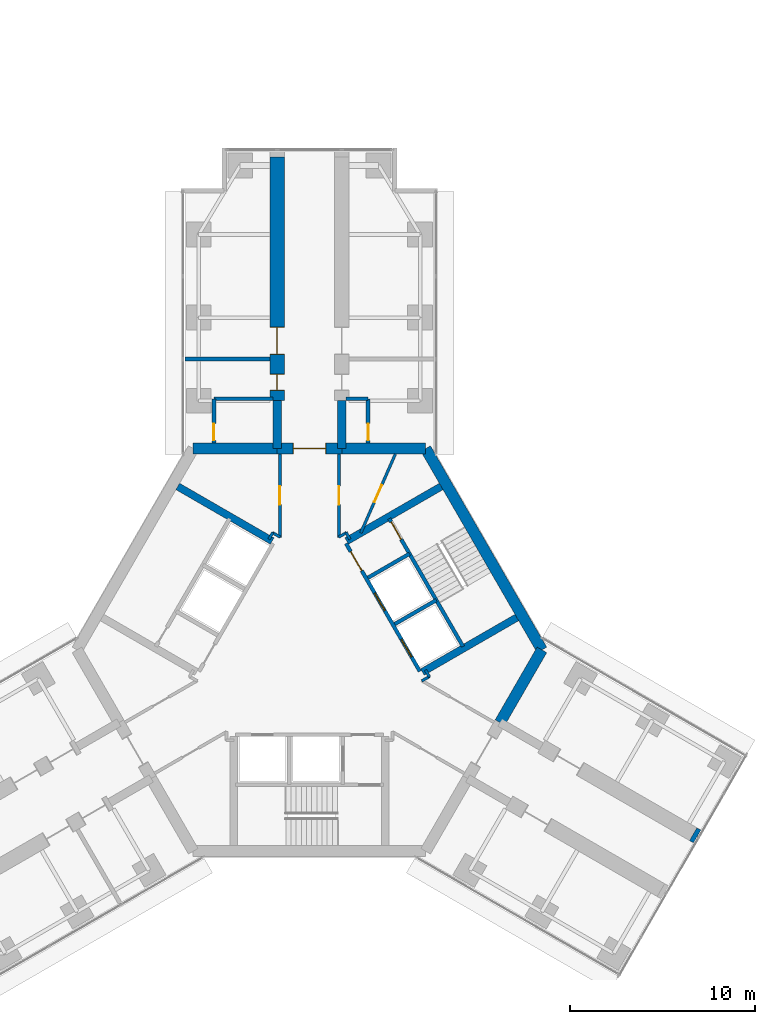
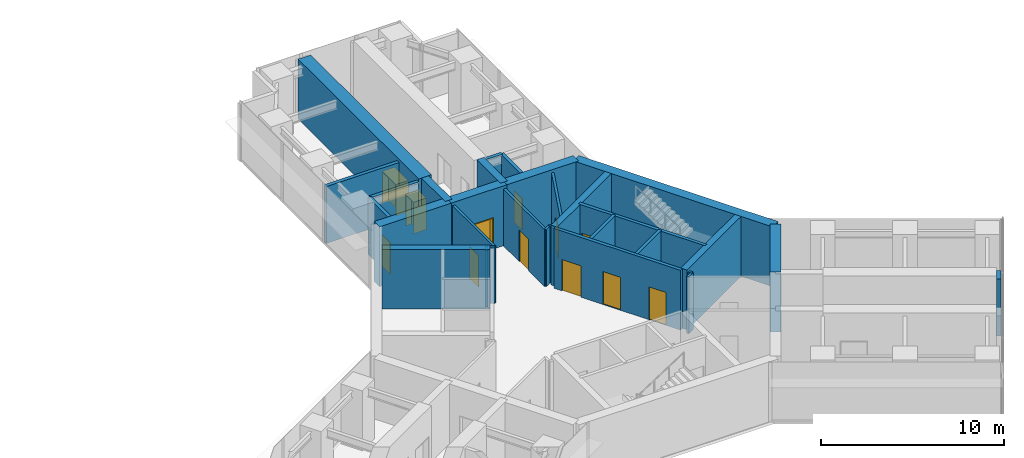
# One storey, part 19 of 21: 30 walls, 12 doors, 12 openings.
"""IFC4 building model written with IfcOpenShell, lengths in metres."""

import ifcopenshell
import ifcopenshell.guid

model = None  # the IFC model being written
_history = None  # IfcOwnerHistory: only IFC2X3 demands one
_inside = {}  # id of a spatial element -> (the spatial element, [elements in it])
_under = {}  # id of a project, library or spatial element -> (it, [spatial elements below it])
_declared = {}  # id of a project -> (the project, [libraries it declares])
_typed = {}  # id of a type object -> (the type object, [elements of that type])
_made_of = {}  # id of a material, layer set ... -> (it, [elements and type objects made of it])


def new_model(schema):
    """Start an empty IFC model of exactly this schema.

    Asked for "IFC4X3", IfcOpenShell would pick the latest addendum, in which some entities
    have other attributes; the version numbers below select the first issue.
    IFC2X3 requires an IfcOwnerHistory on every rooted entity: one is made here for all.
    """
    global model, _history
    if schema == "IFC4X3":
        model = ifcopenshell.file(schema_version=(4, 3, 0, 0))
    else:
        model = ifcopenshell.file(schema=schema)
    _inside.clear()
    _under.clear()
    _declared.clear()
    _typed.clear()
    _made_of.clear()
    _history = None
    if model.schema == "IFC2X3":
        org = make("IfcOrganization", Name="unknown")
        user = make(
            "IfcPersonAndOrganization",
            ThePerson=make("IfcPerson", FamilyName="unknown"),
            TheOrganization=org,
        )
        app = make(
            "IfcApplication",
            ApplicationDeveloper=org,
            Version="unknown",
            ApplicationFullName="unknown",
            ApplicationIdentifier="unknown",
        )
        _history = make(
            "IfcOwnerHistory",
            OwningUser=user,
            OwningApplication=app,
            ChangeAction="ADDED",
            CreationDate=0,
        )
    return model


def make(cls, **values):
    """One entity of the class cls with the attributes given. An attribute that is None is left unset."""
    return model.create_entity(
        cls, **{name: value for name, value in values.items() if value is not None}
    )


def rooted(cls, **values):
    """An entity with a GlobalId (a new one), such as an element, a storey or a relation."""
    return make(cls, GlobalId=ifcopenshell.guid.new(), OwnerHistory=_history, **values)


def si_unit(unit_type, name, prefix=None):
    """IfcSIUnit, for example si_unit("LENGTHUNIT", "METRE", prefix="MILLI")."""
    return make("IfcSIUnit", UnitType=unit_type, Prefix=prefix, Name=name)


def assignment(units):
    """IfcUnitAssignment: the units of a project."""
    return None if units is None else make("IfcUnitAssignment", Units=units)


def point(xyz):
    """IfcCartesianPoint."""
    return None if xyz is None else make("IfcCartesianPoint", Coordinates=xyz)


def direction(xyz):
    """IfcDirection."""
    return None if xyz is None else make("IfcDirection", DirectionRatios=xyz)


def frame(location, z_axis=None, x_axis=None):
    """IfcAxis2Placement3D, a coordinate frame: its origin and axes. An axis left out is left unset."""
    return make(
        "IfcAxis2Placement3D",
        Location=point(location),
        Axis=direction(z_axis),
        RefDirection=direction(x_axis),
    )


def frame_2d(location, x_axis=None):
    """IfcAxis2Placement2D, a coordinate frame in the plane: its origin and x axis."""
    return make(
        "IfcAxis2Placement2D", Location=point(location), RefDirection=direction(x_axis)
    )


def origin():
    """The frame at (0, 0, 0) with its axes left unset."""
    return frame((0.0, 0.0, 0.0))


def place(relative_to, where):
    """IfcLocalPlacement: puts the frame where relative to a parent placement (None: the world)."""
    return make(
        "IfcLocalPlacement", PlacementRelTo=relative_to, RelativePlacement=where
    )


def context(
    kind, dimensions, precision=None, world=None, true_north=None, identifier=None
):
    """IfcGeometricRepresentationContext, for example the 3D "Model" context."""
    return make(
        "IfcGeometricRepresentationContext",
        ContextIdentifier=identifier,
        ContextType=kind,
        CoordinateSpaceDimension=dimensions,
        Precision=precision,
        WorldCoordinateSystem=world,
        TrueNorth=true_north,
    )


def subcontext(parent, identifier, kind, view, scale=None):
    """IfcGeometricRepresentationSubContext, for example "Body" below "Model"."""
    return make(
        "IfcGeometricRepresentationSubContext",
        ContextIdentifier=identifier,
        ContextType=kind,
        ParentContext=parent,
        TargetScale=scale,
        TargetView=view,
    )


def project(units=None, contexts=None):
    """IfcProject with its units and contexts."""
    return rooted(
        "IfcProject",
        Name="project",
        RepresentationContexts=contexts,
        UnitsInContext=assignment(units),
    )


def spatial(cls, under=None, at=None, **own):
    """A site, building, storey or space (cls), placed at a placement, below another one or the project."""
    s = rooted(cls, ObjectPlacement=at, **own)
    if under is not None:
        _under.setdefault(under.id(), (under, []))[1].append(s)
    return s


def profile(cls, at=None, kind="AREA", **sizes):
    """A parametric profile (cls). Its sizes go by their IFC names, for example OverallWidth=200.0."""
    return make(cls, ProfileType=kind, Position=at, **sizes)


def rectangle(**sizes):
    """IfcRectangleProfileDef."""
    return profile("IfcRectangleProfileDef", **sizes)


def extrude(swept, where, along, depth):
    """IfcExtrudedAreaSolid: the profile swept, set in the frame where, extruded along a direction by depth."""
    return make(
        "IfcExtrudedAreaSolid",
        SweptArea=swept,
        Position=where,
        ExtrudedDirection=direction(along),
        Depth=depth,
    )


def shape(context_of_items, identifier, shape_type, items):
    """IfcShapeRepresentation: the items that make up one representation, for example the "Body"."""
    return make(
        "IfcShapeRepresentation",
        ContextOfItems=context_of_items,
        RepresentationIdentifier=identifier,
        RepresentationType=shape_type,
        Items=items,
    )


def material(Name=None, Category=None):
    """IfcMaterial."""
    return make("IfcMaterial", Name=Name, Category=Category)


def layer(
    of_material, thickness, ventilated=None, Name=None, Category=None, Priority=None
):
    """IfcMaterialLayer: one layer of a wall or slab, of a material (None: an air gap)."""
    return make(
        "IfcMaterialLayer",
        Material=of_material,
        LayerThickness=thickness,
        IsVentilated=ventilated,
        Name=Name,
        Category=Category,
        Priority=Priority,
    )


def layer_set(layers, Name=None):
    """IfcMaterialLayerSet."""
    return make("IfcMaterialLayerSet", MaterialLayers=layers, LayerSetName=Name)


def made_of(thing, what):
    """Note that an element or type object is made of a material, layer set ...; save() writes the relation."""
    if what is not None:
        _made_of.setdefault(what.id(), (what, []))[1].append(thing)
    return thing


def type_object(cls, material=None, **own):
    """A type object (cls), such as IfcWallType, which elements share."""
    return made_of(rooted(cls, **own), material)


def element(
    cls,
    number,
    at=None,
    inside=None,
    cuts=None,
    type_object=None,
    material=None,
    context=None,
    identifier="Body",
    shape_type=None,
    held_by="IfcProductDefinitionShape",
    body=None,
    shapes=None,
    **own,
):
    """One element of the class cls, such as IfcWall. Its Tag is "e" and its number.

    at: its placement. inside: the storey or other place that contains it. cuts: it is an
    opening in that element (IfcRelVoidsElement). A single representation is given by context,
    identifier, shape_type and body (its items); several are given by shapes. held_by: the class
    of the entity that holds the representations. save() writes the other relations.
    """
    e = rooted(cls, Tag="e%d" % number, ObjectPlacement=at, **own)
    if body is not None:
        shapes = [shape(context, identifier, shape_type, body)]
    if shapes is not None:
        e.Representation = make(held_by, Representations=shapes)
    if inside is not None:
        _inside.setdefault(inside.id(), (inside, []))[1].append(e)
    if cuts is not None:
        rooted(
            "IfcRelVoidsElement", RelatingBuildingElement=cuts, RelatedOpeningElement=e
        )
    if type_object is not None:
        _typed.setdefault(type_object.id(), (type_object, []))[1].append(e)
    return made_of(e, material)


def fill(opening, filler):
    """IfcRelFillsElement: the door or window that sits in an opening."""
    return rooted(
        "IfcRelFillsElement",
        RelatingOpeningElement=opening,
        RelatedBuildingElement=filler,
    )


def aggregate(whole, parts):
    """IfcRelAggregates: a whole, such as a stair, and the parts it consists of."""
    return rooted("IfcRelAggregates", RelatingObject=whole, RelatedObjects=parts)


def save(model, path):
    """Write the relations noted so far, then the file.

    IfcRelAggregates (storeys below a building ...), IfcRelContainedInSpatialStructure (elements
    in a storey), IfcRelDefinesByType, IfcRelAssociatesMaterial and IfcRelDeclares: one each for
    every whole, place, type object, material and project.
    """
    for whole, parts in _under.values():
        aggregate(whole, parts)
    for where, things in _inside.values():
        rooted(
            "IfcRelContainedInSpatialStructure",
            RelatedElements=things,
            RelatingStructure=where,
        )
    for kind, things in _typed.values():
        rooted("IfcRelDefinesByType", RelatedObjects=things, RelatingType=kind)
    for what, things in _made_of.values():
        rooted("IfcRelAssociatesMaterial", RelatedObjects=things, RelatingMaterial=what)
    for by, libraries in _declared.values():
        rooted("IfcRelDeclares", RelatingContext=by, RelatedDefinitions=libraries)
    model.write(path)


model = new_model("IFC4")

# Units and contexts
model_context = context("Model", 3, precision=1e-05, world=origin(), true_north=direction((0.0, 1.0)))
body_context = subcontext(model_context, "Body", "Model", "MODEL_VIEW")
ifc_project = project(units=[si_unit("LENGTHUNIT", "METRE"), si_unit("AREAUNIT", "SQUARE_METRE"), si_unit("VOLUMEUNIT", "CUBIC_METRE"), si_unit("PLANEANGLEUNIT", "RADIAN"), si_unit("MASSUNIT", "GRAM", prefix="KILO")], contexts=[model_context])

# Site, building, storey
site_placement = place(None, origin())
site = spatial("IfcSite", under=ifc_project, at=site_placement, CompositionType="ELEMENT")
building_placement = place(site_placement, origin())
building = spatial("IfcBuilding", under=site, at=building_placement, Name="Upepo Twin Towers", CompositionType="ELEMENT")
storey_placement = place(building_placement, frame((0.0, 0.0, 109.5)))
storey = spatial("IfcBuildingStorey", under=building, at=storey_placement, Name="L26", CompositionType="ELEMENT", Elevation=109.5)

# Wall
ifc_material_1 = material(Name="Concrete blockwork, plastered both faces", Category="masonry")
ifc_layer_1 = layer(ifc_material_1, 0.215087890625)
ifc_layer_set_1 = layer_set([ifc_layer_1], Name="Blockwork partition 215")
wall_type_1 = type_object("IfcWallType", Name="Blockwork partition 215", PredefinedType="PARTITIONING", material=ifc_layer_set_1)
wall_1_placement = place(storey_placement, frame((56.35009765625, -2.25, 0.0), z_axis=(0.0, 0.0, 1.0), x_axis=(-1.0, 0.0, 0.0)))
element("IfcWall", 1, at=wall_1_placement, inside=storey, type_object=wall_type_1, Name="T2 partition AL at 15.75", PredefinedType="PARTITIONING", context=body_context, shape_type="SweptSolid", body=[
    extrude(rectangle(XDim=4.60009765625, YDim=0.215087890625, at=frame_2d((2.300048828125, 0.0))), origin(), (0.0, 0.0, 1.0), 3.800048828125),
])

# Wall, opening, door
wall_2_placement = place(storey_placement, frame((53.324951171875, -6.7919921875, 0.0), z_axis=(0.0, 0.0, 1.0), x_axis=(0.0, 1.0, 0.0)))
wall_2 = element("IfcWall", 2, at=wall_2_placement, inside=storey, type_object=wall_type_1, Name="T2 WC bay partition AL at 11.21", PredefinedType="PARTITIONING", context=body_context, shape_type="SweptSolid", body=[
    extrude(rectangle(XDim=2.39990234375, YDim=0.215087890625, at=frame_2d((1.199951171875, 0.0))), origin(), (0.0, 0.0, 1.0), 3.800048828125),
])
opening_1_placement = place(wall_2_placement, frame((0.14990234375, 0.0, 0.0)))
opening_1 = element("IfcOpeningElement", 3, at=opening_1_placement, cuts=wall_2, Name="Opening D14", PredefinedType="OPENING", context=body_context, shape_type="SweptSolid", body=[
    extrude(rectangle(XDim=0.89990234375, YDim=2.10009765625, at=frame_2d((0.449951171875, 1.050048828125))), frame((0.0, 0.117431640625, 0.0), z_axis=(0.0, -1.0, 0.0), x_axis=(1.0, 0.0, 0.0)), (0.0, 0.0, 1.0), 0.235107421875),
])
ifc_material_2 = material(Name="Timber doorset", Category="wood")
door_type_1 = type_object("IfcDoorType", Name="Office door 900 FD30", OperationType="SINGLE_SWING_LEFT", PredefinedType="DOOR", material=ifc_material_2)
door_1_placement = place(opening_1_placement, origin())
door_1 = element("IfcDoor", 4, at=door_1_placement, inside=storey, type_object=door_type_1, Name="T2 L26 WC bay inner room door", OperationType="SINGLE_SWING_LEFT", OverallHeight=2.10009765625, OverallWidth=0.89990234375, PredefinedType="DOOR", context=body_context, shape_type="SweptSolid", body=[
    extrude(rectangle(XDim=0.89990234375, YDim=2.10009765625, at=frame_2d((0.449951171875, 1.050048828125))), frame((0.0, 0.02490234375, 0.0), z_axis=(0.0, -1.0, 0.0), x_axis=(1.0, 0.0, 0.0)), (0.0, 0.0, 1.0), 0.050048828125),
])
fill(opening_1, door_1)

# Wall
wall_3_placement = place(storey_placement, frame((56.52490234375, -4.39208984375, 0.0), z_axis=(0.0, 0.0, 1.0), x_axis=(-1.0, 0.0, 0.0)))
element("IfcWall", 5, at=wall_3_placement, inside=storey, type_object=wall_type_1, Name="T2 WC bay partition AL end at 13.61", PredefinedType="PARTITIONING", context=body_context, shape_type="SweptSolid", body=[
    extrude(rectangle(XDim=3.199951171875, YDim=0.215087890625, at=frame_2d((1.60009765625, 0.0))), origin(), (0.0, 0.0, 1.0), 3.800048828125),
])

# Wall, opening, door
wall_4_placement = place(storey_placement, frame((61.675048828125, -6.7919921875, 0.0), z_axis=(0.0, 0.0, 1.0), x_axis=(0.0, 1.0, 0.0)))
wall_4 = element("IfcWall", 6, at=wall_4_placement, inside=storey, type_object=wall_type_1, Name="T2 WC bay partition AR at 11.21", PredefinedType="PARTITIONING", context=body_context, shape_type="SweptSolid", body=[
    extrude(rectangle(XDim=2.39990234375, YDim=0.215087890625, at=frame_2d((1.199951171875, 0.0))), origin(), (0.0, 0.0, 1.0), 3.800048828125),
])
opening_2_placement = place(wall_4_placement, frame((0.14990234375, 0.0, 0.0)))
opening_2 = element("IfcOpeningElement", 7, at=opening_2_placement, cuts=wall_4, Name="Opening D14", PredefinedType="OPENING", context=body_context, shape_type="SweptSolid", body=[
    extrude(rectangle(XDim=0.89990234375, YDim=2.10009765625, at=frame_2d((0.449951171875, 1.050048828125))), frame((0.0, 0.117431640625, 0.0), z_axis=(0.0, -1.0, 0.0), x_axis=(1.0, 0.0, 0.0)), (0.0, 0.0, 1.0), 0.235107421875),
])
door_2_placement = place(opening_2_placement, origin())
door_2 = element("IfcDoor", 8, at=door_2_placement, inside=storey, type_object=door_type_1, Name="T2 L26 WC bay inner room door", OperationType="SINGLE_SWING_LEFT", OverallHeight=2.10009765625, OverallWidth=0.89990234375, PredefinedType="DOOR", context=body_context, shape_type="SweptSolid", body=[
    extrude(rectangle(XDim=0.89990234375, YDim=2.10009765625, at=frame_2d((0.449951171875, 1.050048828125))), frame((0.0, 0.02490234375, 0.0), z_axis=(0.0, -1.0, 0.0), x_axis=(1.0, 0.0, 0.0)), (0.0, 0.0, 1.0), 0.050048828125),
])
fill(opening_2, door_2)

# Walls
wall_5_placement = place(storey_placement, frame((60.47509765625, -4.39208984375, 0.0), z_axis=(0.0, 0.0, 1.0), x_axis=(1.0, 0.0, 0.0)))
element("IfcWall", 9, at=wall_5_placement, inside=storey, type_object=wall_type_1, Name="T2 WC bay partition AR end at 13.61", PredefinedType="PARTITIONING", context=body_context, shape_type="SweptSolid", body=[
    extrude(rectangle(XDim=1.199951171875, YDim=0.215087890625, at=frame_2d((0.60009765625, 0.0))), origin(), (0.0, 0.0, 1.0), 3.800048828125),
])
ifc_material_3 = material(Name="Dense concrete blockwork", Category="masonry")
ifc_layer_2 = layer(ifc_material_3, 0.800048828125)
ifc_layer_set_2 = layer_set([ifc_layer_2], Name="Buttress closer 800, blockwork with fire-stopping to the curtain wall")
wall_type_2 = type_object("IfcWallType", Name="Buttress closer 800, blockwork with fire-stopping to the curtain wall", PredefinedType="PARTITIONING", material=ifc_layer_set_2)
wall_6_placement = place(storey_placement, frame((79.293701171875, -27.984375, 0.0), z_axis=(0.0, 0.0, 1.0), x_axis=(0.865827443207, -0.500342721131, 0.0)))
element("IfcWall", 10, at=wall_6_placement, inside=storey, type_object=wall_type_2, Name="T2 L26 wing C buttress closer L", PredefinedType="PARTITIONING", context=body_context, shape_type="SweptSolid", body=[
    extrude(rectangle(XDim=0.249755859375, YDim=0.800048828125, at=frame_2d((0.125, 0.0))), origin(), (0.0, 0.0, 1.0), 3.800048828125),
])
ifc_material_4 = material(Name="Concrete C60/75", Category="concrete")
ifc_layer_3 = layer(ifc_material_4, 0.449951171875)
ifc_layer_set_3 = layer_set([ifc_layer_3], Name="Concrete C60/75")
wall_type_3 = type_object("IfcWallType", Name="Buttress wall 450 RC", PredefinedType="SHEAR", material=ifc_layer_set_3)
for number, where, z_axis, x_axis, name in (
    (11, (56.75, -7.091552734375, 0.0), (0.0, 0.0, 1.0), (0.0, 1.0, 0.0), "T2 wing A buttress wall L"),
    (12, (60.25, -7.091552734375, 0.0), (0.0, 0.0, 1.0), (0.0, 1.0, 0.0), "T2 wing A buttress wall R"),
):
    element("IfcWall", number, at=place(storey_placement, frame(where, z_axis=z_axis, x_axis=x_axis)), inside=storey, type_object=wall_type_3, Name=name, PredefinedType="SHEAR", context=body_context, shape_type="SweptSolid", body=[
        extrude(rectangle(XDim=2.591552734375, YDim=0.449951171875, at=frame_2d((1.2958984375, 0.0))), origin(), (0.0, 0.0, 1.0), 4.0),
    ])

# Wall, openings, doors
ifc_material_5 = material(Name="Concrete C60/75", Category="concrete")
ifc_layer_4 = layer(ifc_material_5, 0.800048828125)
ifc_layer_set_4 = layer_set([ifc_layer_4], Name="Concrete C60/75")
wall_type_4 = type_object("IfcWallType", Name="Buttress wall 800 RC", PredefinedType="SHEAR", material=ifc_layer_set_4)
wall_7_placement = place(storey_placement, frame((56.75, -4.5, 0.0), z_axis=(0.0, 0.0, 1.0), x_axis=(0.0, 1.0, 0.0)))
wall_7 = element("IfcWall", 13, at=wall_7_placement, inside=storey, type_object=wall_type_4, Name="T2 wing A buttress wall L part 2", PredefinedType="SHEAR", context=body_context, shape_type="SweptSolid", body=[
    extrude(rectangle(XDim=13.199951171875, YDim=0.800048828125, at=frame_2d((6.60009765625, 0.0))), origin(), (0.0, 0.0, 1.0), 4.0),
])
opening_3_placement = place(wall_7_placement, frame((0.550048828125, 0.0, 0.0)))
opening_3 = element("IfcOpeningElement", 14, at=opening_3_placement, cuts=wall_7, Name="Opening D11", PredefinedType="OPENING", context=body_context, shape_type="SweptSolid", body=[
    extrude(rectangle(XDim=0.89990234375, YDim=2.10009765625, at=frame_2d((0.449951171875, 1.050048828125))), frame((0.0, 0.409912109375, 0.0), z_axis=(0.0, -1.0, 0.0), x_axis=(1.0, 0.0, 0.0)), (0.0, 0.0, 1.0), 0.820068359375),
])
opening_4_placement = place(wall_7_placement, frame((2.5, 0.0, 0.0)))
opening_4 = element("IfcOpeningElement", 15, at=opening_4_placement, cuts=wall_7, Name="Opening D13", PredefinedType="OPENING", context=body_context, shape_type="SweptSolid", body=[
    extrude(rectangle(XDim=1.5, YDim=2.10009765625, at=frame_2d((0.75, 1.050048828125))), frame((0.0, 0.409912109375, 0.0), z_axis=(0.0, -1.0, 0.0), x_axis=(1.0, 0.0, 0.0)), (0.0, 0.0, 1.0), 0.820068359375),
])
ifc_material_6 = material(Name="Timber doorset", Category="wood")
door_type_2 = type_object("IfcDoorType", Name="Double door 1500 FD30", OperationType="DOUBLE_DOOR_SINGLE_SWING", PredefinedType="DOOR", material=ifc_material_6)
door_3_placement = place(opening_4_placement, origin())
door_3 = element("IfcDoor", 16, at=door_3_placement, inside=storey, type_object=door_type_2, Name="T2 L26 moot court door", OperationType="DOUBLE_DOOR_SINGLE_SWING", OverallHeight=2.10009765625, OverallWidth=1.5, PredefinedType="DOOR", context=body_context, shape_type="SweptSolid", body=[
    extrude(rectangle(XDim=1.42, YDim=2.06009765625, at=frame_2d((0.75, 1.030029296875))), frame((0.0, 0.02490234375, 0.0), z_axis=(0.0, -1.0, 0.0), x_axis=(1.0, 0.0, 0.0)), (0.0, 0.0, 1.0), 0.050048828125),
    extrude(rectangle(XDim=0.04, YDim=2.10009765625, at=frame_2d((0.02001953125, 1.050048828125))), frame((0.0, 0.39990234375, 0.0), z_axis=(0.0, -1.0, 0.0), x_axis=(1.0, 0.0, 0.0)), (0.0, 0.0, 1.0), 0.799560546875),
    extrude(rectangle(XDim=0.04, YDim=2.10009765625, at=frame_2d((1.47998046875, 1.050048828125))), frame((0.0, 0.39990234375, 0.0), z_axis=(0.0, -1.0, 0.0), x_axis=(1.0, 0.0, 0.0)), (0.0, 0.0, 1.0), 0.799560546875),
    extrude(rectangle(XDim=1.42, YDim=0.04, at=frame_2d((0.75, 2.080078125))), frame((0.0, 0.39990234375, 0.0), z_axis=(0.0, -1.0, 0.0), x_axis=(1.0, 0.0, 0.0)), (0.0, 0.0, 1.0), 0.799560546875),
])
fill(opening_4, door_3)
ifc_material_7 = material(Name="Timber doorset", Category="wood")
door_type_3 = type_object("IfcDoorType", Name="Toilet door 900", OperationType="SINGLE_SWING_LEFT", PredefinedType="DOOR", material=ifc_material_7)
door_4_placement = place(opening_3_placement, origin())
door_4 = element("IfcDoor", 17, at=door_4_placement, inside=storey, type_object=door_type_3, Name="T2 L26 accessible wc door", OperationType="SINGLE_SWING_LEFT", OverallHeight=2.10009765625, OverallWidth=0.89990234375, PredefinedType="DOOR", context=body_context, shape_type="SweptSolid", body=[
    extrude(rectangle(XDim=0.81990234375, YDim=2.06009765625, at=frame_2d((0.449951171875, 1.030029296875))), frame((0.0, 0.02490234375, 0.0), z_axis=(0.0, -1.0, 0.0), x_axis=(1.0, 0.0, 0.0)), (0.0, 0.0, 1.0), 0.050048828125),
    extrude(rectangle(XDim=0.04, YDim=2.10009765625, at=frame_2d((0.02001953125, 1.050048828125))), frame((0.0, 0.39990234375, 0.0), z_axis=(0.0, -1.0, 0.0), x_axis=(1.0, 0.0, 0.0)), (0.0, 0.0, 1.0), 0.799560546875),
    extrude(rectangle(XDim=0.04, YDim=2.10009765625, at=frame_2d((0.8798828125, 1.050048828125))), frame((0.0, 0.39990234375, 0.0), z_axis=(0.0, -1.0, 0.0), x_axis=(1.0, 0.0, 0.0)), (0.0, 0.0, 1.0), 0.799560546875),
    extrude(rectangle(XDim=0.81990234375, YDim=0.04, at=frame_2d((0.449951171875, 2.080078125))), frame((0.0, 0.39990234375, 0.0), z_axis=(0.0, -1.0, 0.0), x_axis=(1.0, 0.0, 0.0)), (0.0, 0.0, 1.0), 0.799560546875),
])
fill(opening_3, door_4)

# Wall
ifc_material_8 = material(Name="Concrete C60/75", Category="concrete")
ifc_layer_5 = layer(ifc_material_8, 0.60009765625)
ifc_layer_set_5 = layer_set([ifc_layer_5], Name="Concrete C60/75")
wall_type_5 = type_object("IfcWallType", Name="Core wall 600 RC", PredefinedType="SHEAR", material=ifc_layer_set_5)
wall_8_placement = place(storey_placement, frame((64.7978515625, -7.091552734375, 0.0), z_axis=(0.0, 0.0, 1.0), x_axis=(-1.0, 0.0, 0.0)))
element("IfcWall", 18, at=wall_8_placement, inside=storey, type_object=wall_type_5, Name="T2 core wall 000 R", PredefinedType="SHEAR", context=body_context, shape_type="SweptSolid", body=[
    extrude(rectangle(XDim=4.5478515625, YDim=0.60009765625, at=frame_2d((2.27392578125, 0.0))), origin(), (0.0, 0.0, 1.0), 4.0),
])

# Wall, opening, door
wall_9_placement = place(storey_placement, frame((60.25, -7.091552734375, 0.0), z_axis=(0.0, 0.0, 1.0), x_axis=(-1.0, 0.0, 0.0)))
wall_9 = element("IfcWall", 19, at=wall_9_placement, inside=storey, type_object=wall_type_5, Name="T2 core wall 000", PredefinedType="SHEAR", context=body_context, shape_type="SweptSolid", body=[
    extrude(rectangle(XDim=3.5, YDim=0.60009765625, at=frame_2d((1.75, 0.0))), origin(), (0.0, 0.0, 1.0), 4.0),
])
opening_5_placement = place(wall_9_placement, frame((0.85009765625, 0.0, 0.0)))
opening_5 = element("IfcOpeningElement", 20, at=opening_5_placement, cuts=wall_9, Name="Opening D2", PredefinedType="OPENING", context=body_context, shape_type="SweptSolid", body=[
    extrude(rectangle(XDim=1.800048828125, YDim=2.10009765625, at=frame_2d((0.89990234375, 1.050048828125))), frame((0.0, 0.31005859375, 0.0), z_axis=(0.0, -1.0, 0.0), x_axis=(1.0, 0.0, 0.0)), (0.0, 0.0, 1.0), 0.6201171875),
])
ifc_material_9 = material(Name="Timber doorset", Category="wood")
door_type_4 = type_object("IfcDoorType", Name="Corridor double door 1800 FD60", OperationType="DOUBLE_DOOR_DOUBLE_SWING", PredefinedType="DOOR", material=ifc_material_9)
door_5_placement = place(opening_5_placement, origin())
door_5 = element("IfcDoor", 21, at=door_5_placement, inside=storey, type_object=door_type_4, Name="T2 L26 wing A corridor door", OperationType="DOUBLE_DOOR_DOUBLE_SWING", OverallHeight=2.10009765625, OverallWidth=1.800048828125, PredefinedType="DOOR", context=body_context, shape_type="SweptSolid", body=[
    extrude(rectangle(XDim=1.720048828125, YDim=2.06009765625, at=frame_2d((0.89990234375, 1.030029296875))), frame((0.0, 0.02490234375, 0.0), z_axis=(0.0, -1.0, 0.0), x_axis=(1.0, 0.0, 0.0)), (0.0, 0.0, 1.0), 0.050048828125),
    extrude(rectangle(XDim=0.04, YDim=2.10009765625, at=frame_2d((0.02001953125, 1.050048828125))), frame((0.0, 0.2998046875, 0.0), z_axis=(0.0, -1.0, 0.0), x_axis=(1.0, 0.0, 0.0)), (0.0, 0.0, 1.0), 0.599609375),
    extrude(rectangle(XDim=0.04, YDim=2.10009765625, at=frame_2d((1.780029296875, 1.050048828125))), frame((0.0, 0.2998046875, 0.0), z_axis=(0.0, -1.0, 0.0), x_axis=(1.0, 0.0, 0.0)), (0.0, 0.0, 1.0), 0.599609375),
    extrude(rectangle(XDim=1.720048828125, YDim=0.04, at=frame_2d((0.89990234375, 2.080078125))), frame((0.0, 0.2998046875, 0.0), z_axis=(0.0, -1.0, 0.0), x_axis=(1.0, 0.0, 0.0)), (0.0, 0.0, 1.0), 0.599609375),
])
fill(opening_5, door_5)

# Walls
wall_10_placement = place(storey_placement, frame((56.75, -7.091552734375, 0.0), z_axis=(0.0, 0.0, 1.0), x_axis=(-1.0, 0.0, 0.0)))
element("IfcWall", 22, at=wall_10_placement, inside=storey, type_object=wall_type_5, Name="T2 core wall 000 L", PredefinedType="SHEAR", context=body_context, shape_type="SweptSolid", body=[
    extrude(rectangle(XDim=4.5478515625, YDim=0.60009765625, at=frame_2d((2.27392578125, 0.0))), origin(), (0.0, 0.0, 1.0), 4.0),
])
wall_11_placement = place(storey_placement, frame((68.82177734375, -21.938720703125, 0.0), z_axis=(0.0, 0.0, 1.0), x_axis=(0.500024481964, 0.866011268655, 0.0)))
element("IfcWall", 23, at=wall_11_placement, inside=storey, type_object=wall_type_5, Name="T2 core wall 240 L", PredefinedType="SHEAR", context=body_context, shape_type="SweptSolid", body=[
    extrude(rectangle(XDim=4.548095703125, YDim=0.60009765625, at=frame_2d((2.27392578125, 0.0))), origin(), (0.0, 0.0, 1.0), 4.0),
])
wall_12_placement = place(storey_placement, frame((71.095947265625, -18.0, 0.0), z_axis=(0.0, 0.0, 1.0), x_axis=(-0.500005998175, 0.866021940709, 0.0)))
element("IfcWall", 24, at=wall_12_placement, inside=storey, type_object=wall_type_5, Name="T2 core wall 300", PredefinedType="SHEAR", context=body_context, shape_type="SweptSolid", body=[
    extrude(rectangle(XDim=12.595947265625, YDim=0.60009765625, at=frame_2d((6.2978515625, 0.0))), origin(), (0.0, 0.0, 1.0), 4.0),
])

# Wall, openings, doors
ifc_material_10 = material(Name="Concrete C40/50", Category="concrete")
ifc_layer_6 = layer(ifc_material_10, 0.199951171875)
ifc_layer_set_6 = layer_set([ifc_layer_6], Name="Concrete C40/50")
wall_type_6 = type_object("IfcWallType", Name="Shaft wall 200 RC", PredefinedType="SHEAR", material=ifc_layer_set_6)
wall_13_placement = place(storey_placement, frame((64.483642578125, -19.1640625, 0.0), z_axis=(0.0, 0.0, 1.0), x_axis=(-0.49999894854, 0.866026010844, 0.0)))
wall_13 = element("IfcWall", 25, at=wall_13_placement, inside=storey, type_object=wall_type_6, Name="T2 core W300 front wall", PredefinedType="SHEAR", context=body_context, shape_type="SweptSolid", body=[
    extrude(rectangle(XDim=8.0, YDim=0.199951171875, at=frame_2d((4.0, 0.0))), origin(), (0.0, 0.0, 1.0), 4.0),
])
opening_6_placement = place(wall_13_placement, frame((6.300048828125, 0.0, 0.0)))
opening_6 = element("IfcOpeningElement", 26, at=opening_6_placement, cuts=wall_13, Name="Opening D4", PredefinedType="OPENING", context=body_context, shape_type="SweptSolid", body=[
    extrude(rectangle(XDim=1.199951171875, YDim=2.10009765625, at=frame_2d((0.60009765625, 1.050048828125))), frame((0.0, 0.10986328125, 0.0), z_axis=(0.0, -1.0, 0.0), x_axis=(1.0, 0.0, 0.0)), (0.0, 0.0, 1.0), 0.219970703125),
])
opening_7_placement = place(wall_13_placement, frame((0.89990234375, 0.0, 0.0)))
opening_7 = element("IfcOpeningElement", 27, at=opening_7_placement, cuts=wall_13, Name="Opening LD1", PredefinedType="OPENING", context=body_context, shape_type="SweptSolid", body=[
    extrude(rectangle(XDim=1.10009765625, YDim=2.199951171875, at=frame_2d((0.550048828125, 1.10009765625))), frame((0.0, 0.10986328125, 0.0), z_axis=(0.0, -1.0, 0.0), x_axis=(1.0, 0.0, 0.0)), (0.0, 0.0, 1.0), 0.219970703125),
])
opening_8_placement = place(wall_13_placement, frame((3.800048828125, 0.0, 0.0)))
opening_8 = element("IfcOpeningElement", 28, at=opening_8_placement, cuts=wall_13, Name="Opening LD1", PredefinedType="OPENING", context=body_context, shape_type="SweptSolid", body=[
    extrude(rectangle(XDim=1.10009765625, YDim=2.199951171875, at=frame_2d((0.550048828125, 1.10009765625))), frame((0.0, 0.10986328125, 0.0), z_axis=(0.0, -1.0, 0.0), x_axis=(1.0, 0.0, 0.0)), (0.0, 0.0, 1.0), 0.219970703125),
])
ifc_material_11 = material(Name="Steel doorset", Category="steel")
door_type_5 = type_object("IfcDoorType", Name="Lift landing door 1100", OperationType="DOUBLE_DOOR_SLIDING", PredefinedType="DOOR", material=ifc_material_11)
door_6_placement = place(opening_7_placement, origin())
door_6 = element("IfcDoor", 29, at=door_6_placement, inside=storey, type_object=door_type_5, Name="T2 L26 lift ML1 landing door", OperationType="DOUBLE_DOOR_SLIDING", OverallHeight=2.199951171875, OverallWidth=1.10009765625, PredefinedType="DOOR", context=body_context, shape_type="SweptSolid", body=[
    extrude(rectangle(XDim=1.10009765625, YDim=2.199951171875, at=frame_2d((0.550048828125, 1.10009765625))), frame((0.0, 0.02490234375, 0.0), z_axis=(0.0, -1.0, 0.0), x_axis=(1.0, 0.0, 0.0)), (0.0, 0.0, 1.0), 0.050048828125),
])
fill(opening_7, door_6)
door_7_placement = place(opening_8_placement, origin())
door_7 = element("IfcDoor", 30, at=door_7_placement, inside=storey, type_object=door_type_5, Name="T2 L26 lift ML2 landing door", OperationType="DOUBLE_DOOR_SLIDING", OverallHeight=2.199951171875, OverallWidth=1.10009765625, PredefinedType="DOOR", context=body_context, shape_type="SweptSolid", body=[
    extrude(rectangle(XDim=1.10009765625, YDim=2.199951171875, at=frame_2d((0.550048828125, 1.10009765625))), frame((0.0, 0.02490234375, 0.0), z_axis=(0.0, -1.0, 0.0), x_axis=(1.0, 0.0, 0.0)), (0.0, 0.0, 1.0), 0.050048828125),
])
fill(opening_8, door_7)
ifc_material_12 = material(Name="Timber doorset", Category="wood")
door_type_6 = type_object("IfcDoorType", Name="Lobby door 1200 FD60", OperationType="SINGLE_SWING_LEFT", PredefinedType="DOOR", material=ifc_material_12)
door_8_placement = place(opening_6_placement, origin())
door_8 = element("IfcDoor", 31, at=door_8_placement, inside=storey, type_object=door_type_6, Name="T2 L26 W300 lobby door", OperationType="SINGLE_SWING_RIGHT", OverallHeight=2.10009765625, OverallWidth=1.199951171875, PredefinedType="DOOR", context=body_context, shape_type="SweptSolid", body=[
    extrude(rectangle(XDim=1.199951171875, YDim=2.10009765625, at=frame_2d((0.60009765625, 1.050048828125))), frame((0.0, 0.02490234375, 0.0), z_axis=(0.0, -1.0, 0.0), x_axis=(1.0, 0.0, 0.0)), (0.0, 0.0, 1.0), 0.050048828125),
])
fill(opening_6, door_8)

# Walls
wall_14_placement = place(storey_placement, frame((63.120361328125, -16.6025390625, 0.0), z_axis=(0.0, 0.0, 1.0), x_axis=(0.866062058628, 0.499936506574, 0.0)))
element("IfcWall", 32, at=wall_14_placement, inside=storey, type_object=wall_type_6, Name="T2 core W300 shaft divider", PredefinedType="SHEAR", context=body_context, shape_type="SweptSolid", body=[
    extrude(rectangle(XDim=2.599853515625, YDim=0.199951171875, at=frame_2d((1.2998046875, 0.0))), origin(), (0.0, 0.0, 1.0), 4.0),
])
wall_15_placement = place(storey_placement, frame((61.67041015625, -14.091064453125, 0.0), z_axis=(0.0, 0.0, 1.0), x_axis=(0.86603858612, 0.49997716683, 0.0)))
element("IfcWall", 33, at=wall_15_placement, inside=storey, type_object=wall_type_6, Name="T2 core W300 lobby wall", PredefinedType="SHEAR", context=body_context, shape_type="SweptSolid", body=[
    extrude(rectangle(XDim=2.599609375, YDim=0.199951171875, at=frame_2d((1.2998046875, 0.0))), origin(), (0.0, 0.0, 1.0), 4.0),
])

# Wall, opening, door
wall_16_placement = place(storey_placement, frame((66.822021484375, -17.814208984375, 0.0), z_axis=(0.0, 0.0, 1.0), x_axis=(-0.49999894854, 0.866026010844, 0.0)))
wall_16 = element("IfcWall", 34, at=wall_16_placement, inside=storey, type_object=wall_type_6, Name="T2 core W300 stair wall", PredefinedType="SHEAR", context=body_context, shape_type="SweptSolid", body=[
    extrude(rectangle(XDim=8.0, YDim=0.199951171875, at=frame_2d((4.0, 0.0))), origin(), (0.0, 0.0, 1.0), 4.0),
])
opening_9_placement = place(wall_16_placement, frame((6.699951171875, 0.0, 0.0)))
opening_9 = element("IfcOpeningElement", 35, at=opening_9_placement, cuts=wall_16, Name="Opening D3", PredefinedType="OPENING", context=body_context, shape_type="SweptSolid", body=[
    extrude(rectangle(XDim=1.10009765625, YDim=2.10009765625, at=frame_2d((0.550048828125, 1.050048828125))), frame((0.0, 0.10986328125, 0.0), z_axis=(0.0, -1.0, 0.0), x_axis=(1.0, 0.0, 0.0)), (0.0, 0.0, 1.0), 0.219970703125),
])
ifc_material_13 = material(Name="Timber doorset", Category="wood")
door_type_7 = type_object("IfcDoorType", Name="Stair door 1100 FD60", OperationType="SINGLE_SWING_LEFT", PredefinedType="DOOR", material=ifc_material_13)
door_9_placement = place(opening_9_placement, origin())
door_9 = element("IfcDoor", 36, at=door_9_placement, inside=storey, type_object=door_type_7, Name="T2 L26 stair door", OperationType="SINGLE_SWING_RIGHT", OverallHeight=2.10009765625, OverallWidth=1.10009765625, PredefinedType="DOOR", context=body_context, shape_type="SweptSolid", body=[
    extrude(rectangle(XDim=1.10009765625, YDim=2.10009765625, at=frame_2d((0.550048828125, 1.050048828125))), frame((0.0, 0.02490234375, 0.0), z_axis=(0.0, -1.0, 0.0), x_axis=(1.0, 0.0, 0.0)), (0.0, 0.0, 1.0), 0.050048828125),
])
fill(opening_9, door_9)

# Walls
ifc_material_14 = material(Name="Concrete C40/50", Category="concrete")
ifc_layer_7 = layer(ifc_material_14, 0.39990234375)
ifc_layer_set_7 = layer_set([ifc_layer_7], Name="Concrete C40/50")
wall_type_7 = type_object("IfcWallType", Name="Shaft wall 400 RC", PredefinedType="SHEAR", material=ifc_layer_set_7)
for number, where, z_axis, x_axis, name in (
    (37, (56.479736328125, -12.099365234375, 0.0), (0.0, 0.0, 1.0), (-0.866009424208, 0.500027676417, 0.0), "T2 core W60 side wall S"),
    (38, (60.520263671875, -12.099365234375, 0.0), (0.0, 0.0, 1.0), (0.866009424208, 0.500027676417, 0.0), "T2 core W300 side wall N"),
):
    element("IfcWall", number, at=place(storey_placement, frame(where, z_axis=z_axis, x_axis=x_axis)), inside=storey, type_object=wall_type_7, Name=name, PredefinedType="SHEAR", context=body_context, shape_type="SweptSolid", body=[
        extrude(rectangle(XDim=5.908447265625, YDim=0.39990234375, at=frame_2d((2.9541015625, 0.0))), origin(), (0.0, 0.0, 1.0), 4.0),
    ])
wall_17_placement = place(storey_placement, frame((64.620361328125, -19.20068359375, 0.0), z_axis=(0.0, 0.0, 1.0), x_axis=(0.866027317282, 0.49999668571, 0.0)))
element("IfcWall", 39, at=wall_17_placement, inside=storey, type_object=wall_type_7, Name="T2 core W300 side wall S", PredefinedType="SHEAR", context=body_context, shape_type="SweptSolid", body=[
    extrude(rectangle(XDim=5.908203125, YDim=0.39990234375, at=frame_2d((2.9541015625, 0.0))), origin(), (0.0, 0.0, 1.0), 4.0),
])
ifc_material_15 = material(Name="Gypsum board on steel studs", Category="steel")
ifc_layer_8 = layer(ifc_material_15, 0.14990234375)
ifc_layer_set_8 = layer_set([ifc_layer_8], Name="Teaching partition 150 acoustic")
wall_type_8 = type_object("IfcWallType", Name="Teaching partition 150 acoustic", PredefinedType="PARTITIONING", material=ifc_layer_set_8)
wall_18_placement = place(storey_placement, frame((56.301513671875, -12.0078125, 0.0), z_axis=(0.0, 0.0, 1.0), x_axis=(0.500230298122, 0.865892400268, 0.0)))
element("IfcWall", 40, at=wall_18_placement, inside=storey, type_object=wall_type_8, Name="T2 core room partition 6", PredefinedType="PARTITIONING", context=body_context, shape_type="SweptSolid", body=[
    extrude(rectangle(XDim=0.429931640625, YDim=0.14990234375, at=frame_2d((0.21484375, 0.0))), origin(), (0.0, 0.0, 1.0), 3.800048828125),
])
wall_19_placement = place(storey_placement, frame((56.4892578125, -11.642822265625, 0.0), z_axis=(0.0, 0.0, 1.0), x_axis=(0.865831790172, -0.50033519877, 0.0)))
element("IfcWall", 41, at=wall_19_placement, inside=storey, type_object=wall_type_8, Name="T2 core room partition 7", PredefinedType="PARTITIONING", context=body_context, shape_type="SweptSolid", body=[
    extrude(rectangle(XDim=0.494384765625, YDim=0.14990234375, at=frame_2d((0.2470703125, 0.0))), origin(), (0.0, 0.0, 1.0), 3.800048828125),
])

# Wall, opening, door
wall_20_placement = place(storey_placement, frame((56.89990234375, -11.900146484375, 0.0), z_axis=(0.0, 0.0, 1.0), x_axis=(0.0, 1.0, 0.0)))
wall_20 = element("IfcWall", 42, at=wall_20_placement, inside=storey, type_object=wall_type_8, Name="T2 core room partition 8", PredefinedType="PARTITIONING", context=body_context, shape_type="SweptSolid", body=[
    extrude(rectangle(XDim=4.5185546875, YDim=0.14990234375, at=frame_2d((2.25927734375, 0.0))), origin(), (0.0, 0.0, 1.0), 3.800048828125),
])
opening_10_placement = place(wall_20_placement, frame((1.769287109375, 0.0, 0.0)))
opening_10 = element("IfcOpeningElement", 43, at=opening_10_placement, cuts=wall_20, Name="Opening D1", PredefinedType="OPENING", context=body_context, shape_type="SweptSolid", body=[
    extrude(rectangle(XDim=1.0, YDim=2.10009765625, at=frame_2d((0.5, 1.050048828125))), frame((0.0, 0.0849609375, 0.0), z_axis=(0.0, -1.0, 0.0), x_axis=(1.0, 0.0, 0.0)), (0.0, 0.0, 1.0), 0.169921875),
])
ifc_material_16 = material(Name="Timber doorset", Category="wood")
door_type_8 = type_object("IfcDoorType", Name="Room door 1000 FD30", OperationType="SINGLE_SWING_LEFT", PredefinedType="DOOR", material=ifc_material_16)
door_10_placement = place(opening_10_placement, origin())
door_10 = element("IfcDoor", 44, at=door_10_placement, inside=storey, type_object=door_type_8, Name="T2 L26 core room door K7", OperationType="SINGLE_SWING_RIGHT", OverallHeight=2.10009765625, OverallWidth=1.0, PredefinedType="DOOR", context=body_context, shape_type="SweptSolid", body=[
    extrude(rectangle(XDim=1.0, YDim=2.10009765625, at=frame_2d((0.5, 1.050048828125))), frame((0.0, 0.02490234375, 0.0), z_axis=(0.0, -1.0, 0.0), x_axis=(1.0, 0.0, 0.0)), (0.0, 0.0, 1.0), 0.050048828125),
])
fill(opening_10, door_10)

wall_21_placement = place(storey_placement, frame((60.10009765625, -7.381591796875, 0.0), z_axis=(0.0, 0.0, 1.0), x_axis=(0.0, -1.0, 0.0)))
wall_21 = element("IfcWall", 45, at=wall_21_placement, inside=storey, type_object=wall_type_8, Name="T2 core room partition 9", PredefinedType="PARTITIONING", context=body_context, shape_type="SweptSolid", body=[
    extrude(rectangle(XDim=4.5185546875, YDim=0.14990234375, at=frame_2d((2.25927734375, 0.0))), origin(), (0.0, 0.0, 1.0), 3.800048828125),
])
opening_11_placement = place(wall_21_placement, frame((1.7490234375, 0.0, 0.0)))
opening_11 = element("IfcOpeningElement", 46, at=opening_11_placement, cuts=wall_21, Name="Opening D1", PredefinedType="OPENING", context=body_context, shape_type="SweptSolid", body=[
    extrude(rectangle(XDim=1.0, YDim=2.10009765625, at=frame_2d((0.5, 1.050048828125))), frame((0.0, 0.0849609375, 0.0), z_axis=(0.0, -1.0, 0.0), x_axis=(1.0, 0.0, 0.0)), (0.0, 0.0, 1.0), 0.169921875),
])
door_11_placement = place(opening_11_placement, origin())
door_11 = element("IfcDoor", 47, at=door_11_placement, inside=storey, type_object=door_type_8, Name="T2 L26 core room door K5", OperationType="SINGLE_SWING_LEFT", OverallHeight=2.10009765625, OverallWidth=1.0, PredefinedType="DOOR", context=body_context, shape_type="SweptSolid", body=[
    extrude(rectangle(XDim=1.0, YDim=2.10009765625, at=frame_2d((0.5, 1.050048828125))), frame((0.0, 0.02490234375, 0.0), z_axis=(0.0, -1.0, 0.0), x_axis=(1.0, 0.0, 0.0)), (0.0, 0.0, 1.0), 0.050048828125),
])
fill(opening_11, door_11)

# Walls
wall_22_placement = place(storey_placement, frame((60.082763671875, -11.89013671875, 0.0), z_axis=(0.0, 0.0, 1.0), x_axis=(0.865831790172, 0.50033519877, 0.0)))
element("IfcWall", 48, at=wall_22_placement, inside=storey, type_object=wall_type_8, Name="T2 core room partition 10", PredefinedType="PARTITIONING", context=body_context, shape_type="SweptSolid", body=[
    extrude(rectangle(XDim=0.494384765625, YDim=0.14990234375, at=frame_2d((0.2470703125, 0.0))), origin(), (0.0, 0.0, 1.0), 3.800048828125),
])
for number, where, z_axis, x_axis, name in (
    (49, (60.4833984375, -11.635498046875, 0.0), (0.0, 0.0, 1.0), (0.500230298122, -0.865892400268, 0.0), "T2 core room partition 11"),
    (50, (64.78857421875, -19.092041015625, 0.0), (0.0, 0.0, 1.0), (0.499804398801, -0.866138304741, 0.0), "T2 core room partition 12"),
):
    element("IfcWall", number, at=place(storey_placement, frame(where, z_axis=z_axis, x_axis=x_axis)), inside=storey, type_object=wall_type_8, Name=name, PredefinedType="PARTITIONING", context=body_context, shape_type="SweptSolid", body=[
        extrude(rectangle(XDim=0.429931640625, YDim=0.14990234375, at=frame_2d((0.21484375, 0.0))), origin(), (0.0, 0.0, 1.0), 3.800048828125),
    ])
wall_23_placement = place(storey_placement, frame((65.0107421875, -19.43701171875, 0.0), z_axis=(0.0, 0.0, 1.0), x_axis=(-0.865831790172, -0.50033519877, 0.0)))
element("IfcWall", 51, at=wall_23_placement, inside=storey, type_object=wall_type_8, Name="T2 core room partition 13", PredefinedType="PARTITIONING", context=body_context, shape_type="SweptSolid", body=[
    extrude(rectangle(XDim=0.494384765625, YDim=0.14990234375, at=frame_2d((0.2470703125, 0.0))), origin(), (0.0, 0.0, 1.0), 3.800048828125),
])

# Wall, opening, door
wall_24_placement = place(storey_placement, frame((61.281005859375, -11.66015625, 0.0), z_axis=(0.0, 0.0, 1.0), x_axis=(0.401686926791, 0.915777054116, 0.0)))
wall_24 = element("IfcWall", 52, at=wall_24_placement, inside=storey, type_object=wall_type_8, Name="T2 core room partition 19", PredefinedType="PARTITIONING", context=body_context, shape_type="SweptSolid", body=[
    extrude(rectangle(XDim=4.6611328125, YDim=0.14990234375, at=frame_2d((2.33056640625, 0.0))), origin(), (0.0, 0.0, 1.0), 3.800048828125),
])
opening_12_placement = place(wall_24_placement, frame((1.83056640625, 0.0, 0.0)))
opening_12 = element("IfcOpeningElement", 53, at=opening_12_placement, cuts=wall_24, Name="Opening D1", PredefinedType="OPENING", context=body_context, shape_type="SweptSolid", body=[
    extrude(rectangle(XDim=1.0, YDim=2.10009765625, at=frame_2d((0.5, 1.050048828125))), frame((0.0, 0.0849609375, 0.0), z_axis=(0.0, -1.0, 0.0), x_axis=(1.0, 0.0, 0.0)), (0.0, 0.0, 1.0), 0.169921875),
])
door_12_placement = place(opening_12_placement, origin())
door_12 = element("IfcDoor", 54, at=door_12_placement, inside=storey, type_object=door_type_8, Name="T2 L26 core room door K6", OperationType="SINGLE_SWING_LEFT", OverallHeight=2.10009765625, OverallWidth=1.0, PredefinedType="DOOR", context=body_context, shape_type="SweptSolid", body=[
    extrude(rectangle(XDim=1.0, YDim=2.10009765625, at=frame_2d((0.5, 1.050048828125))), frame((0.0, 0.02490234375, 0.0), z_axis=(0.0, -1.0, 0.0), x_axis=(1.0, 0.0, 0.0)), (0.0, 0.0, 1.0), 0.050048828125),
])
fill(opening_12, door_12)

save(model, "model.ifc")
